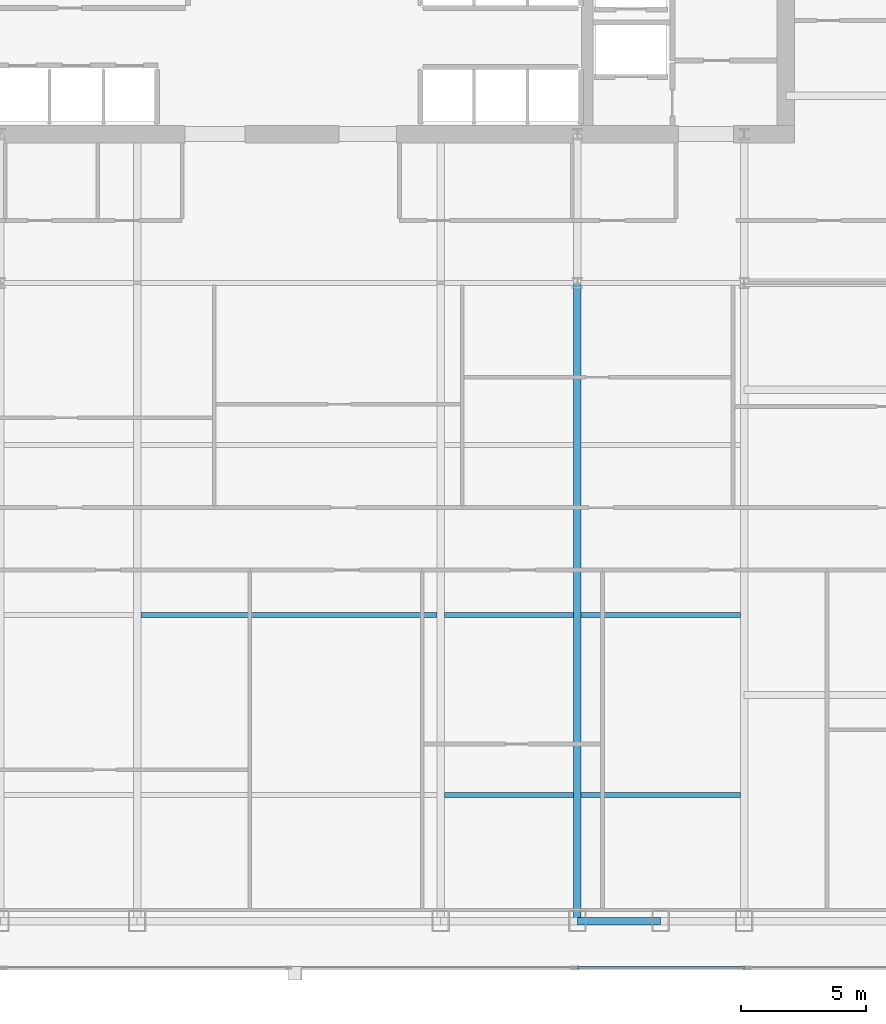
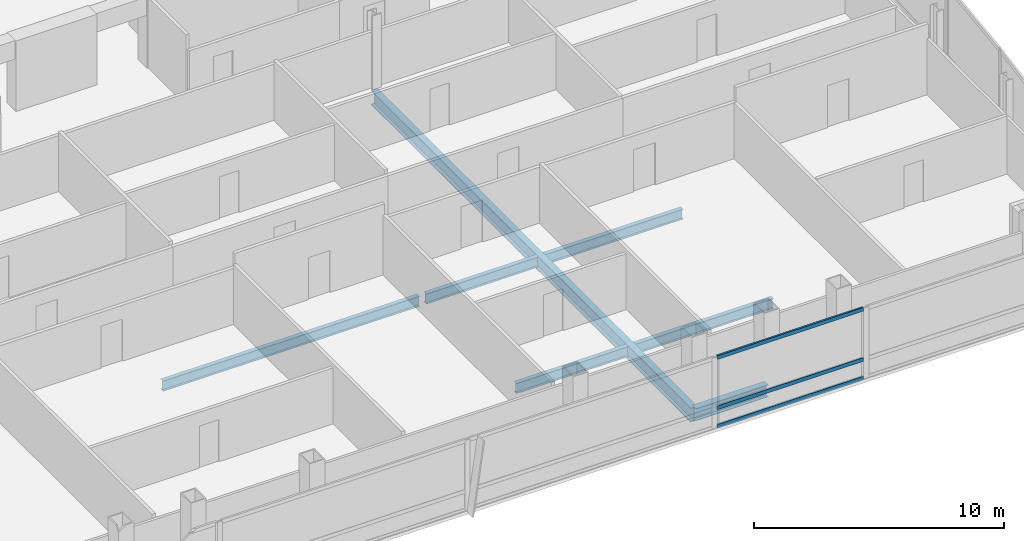
# One storey, part 14 of 29: 7 beams, 3 members, 1 element without a shape of its own.
"""IFC4 building model written with IfcOpenShell, lengths in metres."""

from ifc_helpers import new_model, si_unit, direction, frame, origin, origin_2d, place, context, subcontext, project, spatial, hollow_rectangle, i_section, extrude, material, material_profile, profile_set, type_object, element, aggregate, save


model = new_model("IFC4")

# Units and contexts
model_context = context("Model", 3, precision=1e-05, world=origin(), true_north=direction((0.0, 1.0)))
body_context = subcontext(model_context, "Body", "Model", "MODEL_VIEW")
ifc_project = project(units=[si_unit("LENGTHUNIT", "METRE"), si_unit("AREAUNIT", "SQUARE_METRE"), si_unit("VOLUMEUNIT", "CUBIC_METRE"), si_unit("PLANEANGLEUNIT", "RADIAN"), si_unit("MASSUNIT", "GRAM", prefix="KILO")], contexts=[model_context])

# Site, building, storey
site_placement = place(None, origin())
site = spatial("IfcSite", under=ifc_project, at=site_placement, CompositionType="ELEMENT")
building_placement = place(site_placement, origin())
building = spatial("IfcBuilding", under=site, at=building_placement, Name="Khoronbel Lancet Exchange", CompositionType="ELEMENT")
storey_placement = place(building_placement, frame((0.0, 0.0, 139.800048828125)))
storey = spatial("IfcBuildingStorey", under=building, at=storey_placement, Name="L34", CompositionType="ELEMENT", Elevation=139.800048828125)

# Beams
ifc_material_1 = material(Name="Steel S355", Category="steel")
ifc_material_profile_1 = material_profile(ifc_material_1, i_section(OverallWidth=0.300048828125, OverallDepth=0.699951171875, WebThickness=0.01708984375, FlangeThickness=0.031982421875, at=origin_2d()), Name="HEB 700")
ifc_profile_set_1 = profile_set([ifc_material_profile_1], Name="Steel S355")
beam_type_1 = type_object("IfcBeamType", Name="BM-BG3", PredefinedType="BEAM", material=ifc_profile_set_1)
beam_1_placement = place(storey_placement, frame((48.0, 10.14990234375, -0.510009765625), z_axis=(0.0, 1.0, 0.0), x_axis=(-1.0, 0.0, 0.0)))
element("IfcBeam", 1, at=beam_1_placement, inside=storey, type_object=beam_type_1, Name="Level L34 south primary girder GS5", PredefinedType="BEAM", context=body_context, shape_type="SweptSolid", body=[
    extrude(i_section(OverallWidth=0.300048828125, OverallDepth=0.699951171875, WebThickness=0.01708984375, FlangeThickness=0.031982421875, at=origin_2d()), origin(), (0.0, 0.0, 1.0), 25.550048828125),
])
ifc_material_profile_2 = material_profile(ifc_material_1, i_section(OverallWidth=0.199951171875, OverallDepth=0.5, WebThickness=0.01025390625, FlangeThickness=0.01611328125, at=origin_2d()), Name="IPE 500")
ifc_profile_set_2 = profile_set([ifc_material_profile_2], Name="Steel S355")
beam_type_2 = type_object("IfcBeamType", Name="BM-BJ3", PredefinedType="JOIST", material=ifc_profile_set_2)
beam_2_placement = place(storey_placement, frame((42.675048828125, 15.199951171875, -0.41015625), z_axis=(1.0, 0.0, 0.0), x_axis=(0.0, 1.0, 0.0)))
element("IfcBeam", 2, at=beam_2_placement, inside=storey, type_object=beam_type_2, Name="Level L34 secondary composite joist J04", PredefinedType="JOIST", context=body_context, shape_type="SweptSolid", body=[
    extrude(i_section(OverallWidth=0.199951171875, OverallDepth=0.5, WebThickness=0.01025390625, FlangeThickness=0.01611328125, at=origin_2d()), origin(), (0.0, 0.0, 1.0), 5.175048828125),
])
beam_3_placement = place(storey_placement, frame((48.14990234375, 15.199951171875, -0.41015625), z_axis=(1.0, 0.0, 0.0), x_axis=(0.0, 1.0, 0.0)))
element("IfcBeam", 3, at=beam_3_placement, inside=storey, type_object=beam_type_2, Name="Level L34 secondary composite joist J05", PredefinedType="JOIST", context=body_context, shape_type="SweptSolid", body=[
    extrude(i_section(OverallWidth=0.199951171875, OverallDepth=0.5, WebThickness=0.01025390625, FlangeThickness=0.01611328125, at=origin_2d()), origin(), (0.0, 0.0, 1.0), 6.375),
])
beam_4_placement = place(storey_placement, frame((30.52490234375, 22.39990234375, -0.41015625), z_axis=(1.0, 0.0, 0.0), x_axis=(0.0, 1.0, 0.0)))
element("IfcBeam", 4, at=beam_4_placement, inside=storey, type_object=beam_type_2, Name="Level L34 secondary composite joist J08", PredefinedType="JOIST", context=body_context, shape_type="SweptSolid", body=[
    extrude(i_section(OverallWidth=0.199951171875, OverallDepth=0.5, WebThickness=0.01025390625, FlangeThickness=0.01611328125, at=origin_2d()), origin(), (0.0, 0.0, 1.0), 11.85009765625),
])
beam_5_placement = place(storey_placement, frame((42.675048828125, 22.39990234375, -0.41015625), z_axis=(1.0, 0.0, 0.0), x_axis=(0.0, 1.0, 0.0)))
element("IfcBeam", 5, at=beam_5_placement, inside=storey, type_object=beam_type_2, Name="Level L34 secondary composite joist J09", PredefinedType="JOIST", context=body_context, shape_type="SweptSolid", body=[
    extrude(i_section(OverallWidth=0.199951171875, OverallDepth=0.5, WebThickness=0.01025390625, FlangeThickness=0.01611328125, at=origin_2d()), origin(), (0.0, 0.0, 1.0), 5.175048828125),
])
beam_6_placement = place(storey_placement, frame((48.14990234375, 22.39990234375, -0.41015625), z_axis=(1.0, 0.0, 0.0), x_axis=(0.0, 1.0, 0.0)))
element("IfcBeam", 6, at=beam_6_placement, inside=storey, type_object=beam_type_2, Name="Level L34 secondary composite joist J10", PredefinedType="JOIST", context=body_context, shape_type="SweptSolid", body=[
    extrude(i_section(OverallWidth=0.199951171875, OverallDepth=0.5, WebThickness=0.01025390625, FlangeThickness=0.01611328125, at=origin_2d()), origin(), (0.0, 0.0, 1.0), 6.375),
])
ifc_material_profile_3 = material_profile(ifc_material_1, i_section(OverallWidth=0.300048828125, OverallDepth=0.60009765625, WebThickness=0.015380859375, FlangeThickness=0.030029296875, at=origin_2d()), Name="HEB 600")
ifc_profile_set_3 = profile_set([ifc_material_profile_3], Name="Steel S355")
beam_type_3 = type_object("IfcBeamType", Name="BM-BSP2", PredefinedType="SPANDREL", material=ifc_profile_set_3)
beam_7_placement = place(storey_placement, frame((48.0, 10.14990234375, -0.4599609375), z_axis=(1.0, 0.0, 0.0), x_axis=(0.0, 1.0, 0.0)))
element("IfcBeam", 7, at=beam_7_placement, inside=storey, type_object=beam_type_3, Name="Level L34 perimeter spandrel beam SP07", PredefinedType="SPANDREL", context=body_context, shape_type="SweptSolid", body=[
    extrude(i_section(OverallWidth=0.300048828125, OverallDepth=0.60009765625, WebThickness=0.015380859375, FlangeThickness=0.030029296875, at=origin_2d()), origin(), (0.0, 0.0, 1.0), 3.33740234375),
])

# Curtain wall, members
ifc_material_2 = material(Name="Low-E Solar Control Insulating Glass", Category="glass")
curtain_wall_type = type_object("IfcCurtainWallType", Name="CW-3", PredefinedType="NOTDEFINED", material=ifc_material_2)
curtain_wall_placement = place(storey_placement, origin())
curtain_wall = element("IfcCurtainWall", 8, at=curtain_wall_placement, inside=storey, type_object=curtain_wall_type, Name="Unitised curtain wall CW-L34-SEB", PredefinedType="NOTDEFINED")
ifc_material_3 = material(Name="Bronze-Anodised Aluminium 6063-T6", Category="aluminium")
ifc_material_profile_4 = material_profile(ifc_material_3, hollow_rectangle(XDim=0.0849609375, YDim=0.179931640625, WallThickness=0.0048828125, at=origin_2d()), Name="ALU TRANSOM 85x180")
ifc_profile_set_4 = profile_set([ifc_material_profile_4], Name="Bronze-Anodised Aluminium 6063-T6")
member_type = type_object("IfcMemberType", Name="MEM-CWT1", PredefinedType="USERDEFINED", material=ifc_profile_set_4)
member_1_placement = place(storey_placement, frame((47.985107421875, 8.2900390625, 0.04248046875), z_axis=(1.0, 0.0, 0.0), x_axis=(0.0, 1.0, 0.0)))
member_1 = element("IfcMember", 9, at=member_1_placement, type_object=member_type, Name="CW3 transom 1.1", ObjectType="TRANSOM", PredefinedType="USERDEFINED", context=body_context, shape_type="SweptSolid", body=[
    extrude(hollow_rectangle(XDim=0.0849609375, YDim=0.179931640625, WallThickness=0.0048828125, at=origin_2d()), origin(), (0.0, 0.0, 1.0), 6.72998046875),
])
member_2_placement = place(storey_placement, frame((47.985107421875, 8.2900390625, 0.949951171875), z_axis=(1.0, 0.0, 0.0), x_axis=(0.0, 1.0, 0.0)))
member_2 = element("IfcMember", 10, at=member_2_placement, type_object=member_type, Name="CW3 transom 1.2", ObjectType="TRANSOM", PredefinedType="USERDEFINED", context=body_context, shape_type="SweptSolid", body=[
    extrude(hollow_rectangle(XDim=0.0849609375, YDim=0.179931640625, WallThickness=0.0048828125, at=origin_2d()), origin(), (0.0, 0.0, 1.0), 6.72998046875),
])
member_3_placement = place(storey_placement, frame((47.985107421875, 8.2900390625, 3.3974609375), z_axis=(1.0, 0.0, 0.0), x_axis=(0.0, 1.0, 0.0)))
member_3 = element("IfcMember", 11, at=member_3_placement, type_object=member_type, Name="CW3 transom 1.3", ObjectType="TRANSOM", PredefinedType="USERDEFINED", context=body_context, shape_type="SweptSolid", body=[
    extrude(hollow_rectangle(XDim=0.0849609375, YDim=0.179931640625, WallThickness=0.0048828125, at=origin_2d()), origin(), (0.0, 0.0, 1.0), 6.72998046875),
])
aggregate(curtain_wall, [member_1, member_2, member_3])

save(model, "model.ifc")
